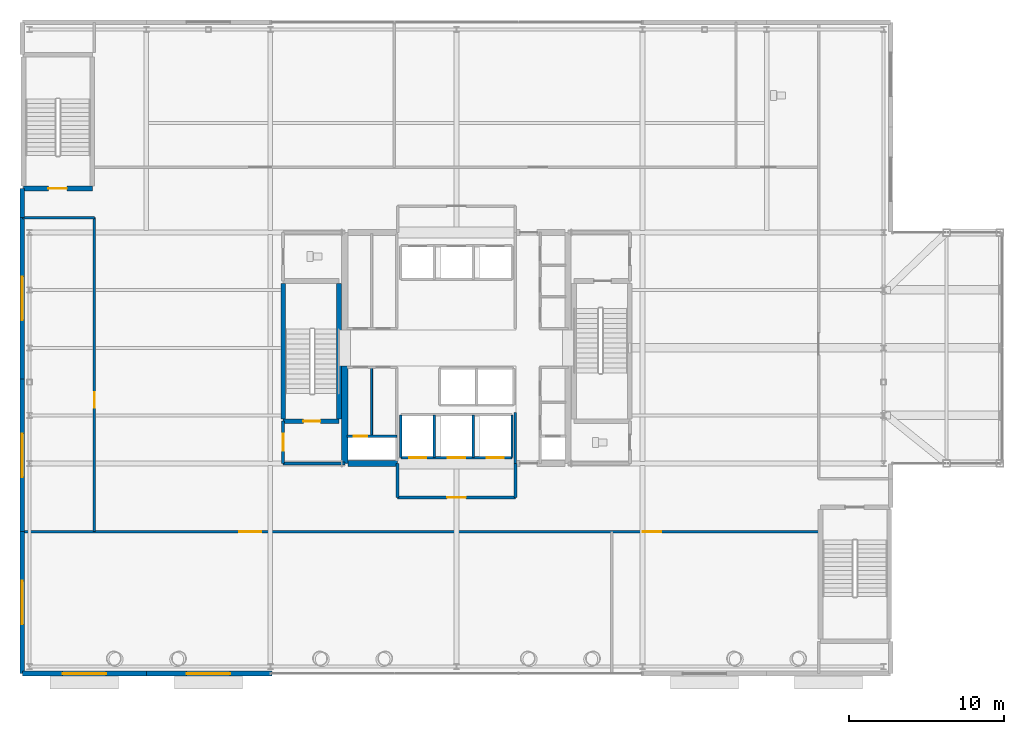
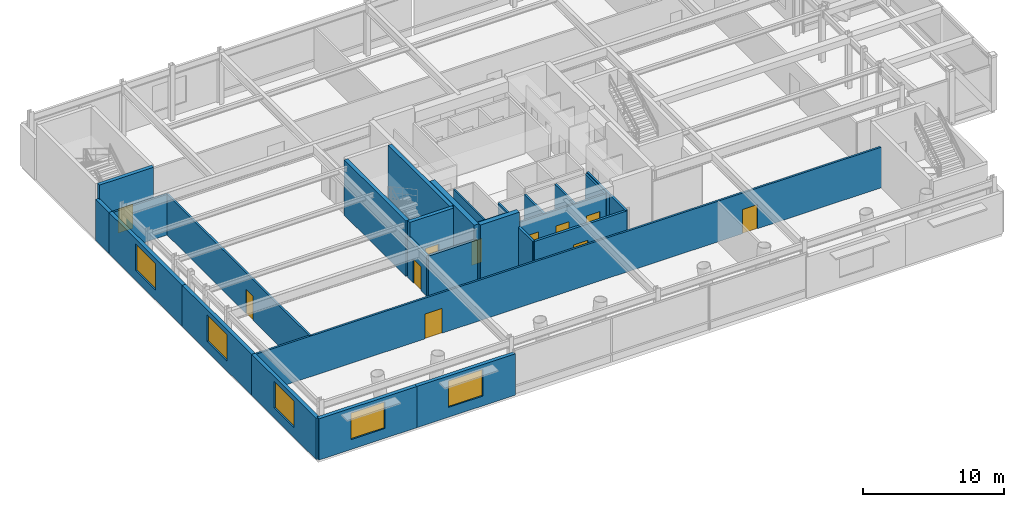
# One storey, part 19 of 26: 28 walls, 11 doors, 5 windows, 16 openings.
"""IFC4 building model written with IfcOpenShell, lengths in metres."""

from ifc_helpers import new_model, si_unit, direction, frame, frame_2d, origin, place, context, subcontext, project, spatial, rectangle, extrude, material, layer, layer_set, type_object, element, fill, save


model = new_model("IFC4")

# Units and contexts
model_context = context("Model", 3, precision=1e-05, world=origin(), true_north=direction((0.0, 1.0)))
body_context = subcontext(model_context, "Body", "Model", "MODEL_VIEW")
ifc_project = project(units=[si_unit("LENGTHUNIT", "METRE"), si_unit("AREAUNIT", "SQUARE_METRE"), si_unit("VOLUMEUNIT", "CUBIC_METRE"), si_unit("PLANEANGLEUNIT", "RADIAN"), si_unit("MASSUNIT", "GRAM", prefix="KILO")], contexts=[model_context])

# Site, building, storey
site_placement = place(None, origin())
site = spatial("IfcSite", under=ifc_project, at=site_placement, CompositionType="ELEMENT")
building_placement = place(site_placement, origin())
building = spatial("IfcBuilding", under=site, at=building_placement, Name="Veldorina Hangang Commons", CompositionType="ELEMENT")
storey_placement = place(building_placement, frame((0.0, 0.0, 10.0)))
storey = spatial("IfcBuildingStorey", under=building, at=storey_placement, Name="L02", CompositionType="ELEMENT", Elevation=10.0)

# Walls
ifc_material_1 = material(Name="Concrete C70/85", Category="concrete")
ifc_layer_1 = layer(ifc_material_1, 0.39990234375)
ifc_layer_set_1 = layer_set([ifc_layer_1], Name="Concrete C70/85")
wall_type_1 = type_object("IfcWallType", Name="CW-RC400-C70", PredefinedType="SHEAR", material=ifc_layer_set_1)
wall_1_placement = place(storey_placement, frame((24.800048828125, 16.550048828125, 0.0), z_axis=(0.0, 0.0, 1.0), x_axis=(0.0, 1.0, 0.0)))
element("IfcWall", 1, at=wall_1_placement, inside=storey, type_object=wall_type_1, Name="L02 W south core shear wall", PredefinedType="SHEAR", context=body_context, shape_type="SweptSolid", body=[
    extrude(rectangle(XDim=6.300048828125, YDim=0.39990234375, at=frame_2d((3.14990234375, 0.0))), origin(), (0.0, 0.0, 1.0), 4.800048828125),
])
wall_2_placement = place(storey_placement, frame((25.0, 16.550048828125, 0.0), z_axis=(0.0, 0.0, 1.0), x_axis=(1.0, 0.0, 0.0)))
element("IfcWall", 2, at=wall_2_placement, inside=storey, type_object=wall_type_1, Name="L02 south-west core shear wall", PredefinedType="SHEAR", context=body_context, shape_type="SweptSolid", body=[
    extrude(rectangle(XDim=3.199951171875, YDim=0.39990234375, at=frame_2d((1.60009765625, 0.0))), origin(), (0.0, 0.0, 1.0), 4.800048828125),
])

# Wall, opening, window
ifc_material_2 = material(Name="Stone Roman Travertine", Category="masonry")
ifc_layer_2 = layer(ifc_material_2, 0.300048828125)
ifc_layer_set_2 = layer_set([ifc_layer_2], Name="Stone Roman Travertine")
wall_type_2 = type_object("IfcWallType", Name="EW-TRAV-300", PredefinedType="STANDARD", material=ifc_layer_set_2)
wall_3_placement = place(storey_placement, frame((4.0, 3.0, 0.0), z_axis=(0.0, 0.0, 1.0), x_axis=(1.0, 0.0, 0.0)))
wall_3 = element("IfcWall", 3, at=wall_3_placement, inside=storey, type_object=wall_type_2, Name="L02 south podium stone wall S1", PredefinedType="STANDARD", context=body_context, shape_type="SweptSolid", body=[
    extrude(rectangle(XDim=8.0, YDim=0.300048828125, at=frame_2d((4.0, 0.0))), origin(), (0.0, 0.0, 1.0), 3.570068359375),
])
opening_1_placement = place(wall_3_placement, frame((2.60009765625, 0.0, 0.85009765625)))
opening_1 = element("IfcOpeningElement", 4, at=opening_1_placement, cuts=wall_3, Name="Opening W-06", PredefinedType="OPENING", context=body_context, shape_type="SweptSolid", body=[
    extrude(rectangle(XDim=2.800048828125, YDim=2.300048828125, at=frame_2d((1.39990234375, 1.14990234375))), frame((0.0, 0.16015625, 0.0), z_axis=(0.0, -1.0, 0.0), x_axis=(1.0, 0.0, 0.0)), (0.0, 0.0, 1.0), 0.320068359375),
])
ifc_material_3 = material(Name="Glass Acoustic Laminated", Category="glass")
window_type = type_object("IfcWindowType", Name="WIN-POD-2800", PartitioningType="SINGLE_PANEL", PredefinedType="WINDOW", material=ifc_material_3)
window_1_placement = place(opening_1_placement, origin())
window_1 = element("IfcWindow", 5, at=window_1_placement, inside=storey, type_object=window_type, Name="L02 south podium window S1", OverallHeight=2.300048828125, OverallWidth=2.800048828125, PartitioningType="SINGLE_PANEL", PredefinedType="WINDOW", context=body_context, shape_type="SweptSolid", body=[
    extrude(rectangle(XDim=2.800048828125, YDim=2.300048828125, at=frame_2d((1.39990234375, 1.14990234375))), frame((0.0, 0.030029296875, 0.0), z_axis=(0.0, -1.0, 0.0), x_axis=(1.0, 0.0, 0.0)), (0.0, 0.0, 1.0), 0.06005859375),
])
fill(opening_1, window_1)

wall_4_placement = place(storey_placement, frame((12.0, 3.0, 0.0), z_axis=(0.0, 0.0, 1.0), x_axis=(1.0, 0.0, 0.0)))
wall_4 = element("IfcWall", 6, at=wall_4_placement, inside=storey, type_object=wall_type_2, Name="L02 south podium stone wall S2", PredefinedType="STANDARD", context=body_context, shape_type="SweptSolid", body=[
    extrude(rectangle(XDim=8.094970703125, YDim=0.300048828125, at=frame_2d((4.04736328125, 0.0))), origin(), (0.0, 0.0, 1.0), 3.570068359375),
])
opening_2_placement = place(wall_4_placement, frame((2.60009765625, 0.0, 0.85009765625)))
opening_2 = element("IfcOpeningElement", 7, at=opening_2_placement, cuts=wall_4, Name="Opening W-06", PredefinedType="OPENING", context=body_context, shape_type="SweptSolid", body=[
    extrude(rectangle(XDim=2.800048828125, YDim=2.300048828125, at=frame_2d((1.39990234375, 1.14990234375))), frame((0.0, 0.16015625, 0.0), z_axis=(0.0, -1.0, 0.0), x_axis=(1.0, 0.0, 0.0)), (0.0, 0.0, 1.0), 0.320068359375),
])
window_2_placement = place(opening_2_placement, origin())
window_2 = element("IfcWindow", 8, at=window_2_placement, inside=storey, type_object=window_type, Name="L02 south podium window S2", OverallHeight=2.300048828125, OverallWidth=2.800048828125, PartitioningType="SINGLE_PANEL", PredefinedType="WINDOW", context=body_context, shape_type="SweptSolid", body=[
    extrude(rectangle(XDim=2.800048828125, YDim=2.300048828125, at=frame_2d((1.39990234375, 1.14990234375))), frame((0.0, 0.030029296875, 0.0), z_axis=(0.0, -1.0, 0.0), x_axis=(1.0, 0.0, 0.0)), (0.0, 0.0, 1.0), 0.06005859375),
])
fill(opening_2, window_2)

wall_5_placement = place(storey_placement, frame((4.0, 12.14990234375, 0.0), z_axis=(0.0, 0.0, 1.0), x_axis=(0.0, -1.0, 0.0)))
wall_5 = element("IfcWall", 9, at=wall_5_placement, inside=storey, type_object=wall_type_2, Name="L02 west podium stone wall W1", PredefinedType="STANDARD", context=body_context, shape_type="SweptSolid", body=[
    extrude(rectangle(XDim=9.14990234375, YDim=0.300048828125, at=frame_2d((4.574951171875, 0.0))), origin(), (0.0, 0.0, 1.0), 3.570068359375),
])
opening_3_placement = place(wall_5_placement, frame((3.175048828125, 0.0, 0.85009765625)))
opening_3 = element("IfcOpeningElement", 10, at=opening_3_placement, cuts=wall_5, Name="Opening W-06", PredefinedType="OPENING", context=body_context, shape_type="SweptSolid", body=[
    extrude(rectangle(XDim=2.800048828125, YDim=2.300048828125, at=frame_2d((1.39990234375, 1.14990234375))), frame((0.0, 0.16015625, 0.0), z_axis=(0.0, -1.0, 0.0), x_axis=(1.0, 0.0, 0.0)), (0.0, 0.0, 1.0), 0.320068359375),
])
window_3_placement = place(opening_3_placement, origin())
window_3 = element("IfcWindow", 11, at=window_3_placement, inside=storey, type_object=window_type, Name="L02 west podium window W1", OverallHeight=2.300048828125, OverallWidth=2.800048828125, PartitioningType="SINGLE_PANEL", PredefinedType="WINDOW", context=body_context, shape_type="SweptSolid", body=[
    extrude(rectangle(XDim=2.800048828125, YDim=2.300048828125, at=frame_2d((1.39990234375, 1.14990234375))), frame((0.0, 0.030029296875, 0.0), z_axis=(0.0, -1.0, 0.0), x_axis=(1.0, 0.0, 0.0)), (0.0, 0.0, 1.0), 0.06005859375),
])
fill(opening_3, window_3)

wall_6_placement = place(storey_placement, frame((4.0, 22.0, 0.0), z_axis=(0.0, 0.0, 1.0), x_axis=(0.0, -1.0, 0.0)))
wall_6 = element("IfcWall", 12, at=wall_6_placement, inside=storey, type_object=wall_type_2, Name="L02 west podium stone wall W2", PredefinedType="STANDARD", context=body_context, shape_type="SweptSolid", body=[
    extrude(rectangle(XDim=9.85009765625, YDim=0.300048828125, at=frame_2d((4.925048828125, 0.0))), origin(), (0.0, 0.0, 1.0), 3.570068359375),
])
opening_4_placement = place(wall_6_placement, frame((3.52490234375, 0.0, 0.85009765625)))
opening_4 = element("IfcOpeningElement", 13, at=opening_4_placement, cuts=wall_6, Name="Opening W-06", PredefinedType="OPENING", context=body_context, shape_type="SweptSolid", body=[
    extrude(rectangle(XDim=2.800048828125, YDim=2.300048828125, at=frame_2d((1.39990234375, 1.14990234375))), frame((0.0, 0.16015625, 0.0), z_axis=(0.0, -1.0, 0.0), x_axis=(1.0, 0.0, 0.0)), (0.0, 0.0, 1.0), 0.320068359375),
])
window_4_placement = place(opening_4_placement, origin())
window_4 = element("IfcWindow", 14, at=window_4_placement, inside=storey, type_object=window_type, Name="L02 west podium window W2", OverallHeight=2.300048828125, OverallWidth=2.800048828125, PartitioningType="SINGLE_PANEL", PredefinedType="WINDOW", context=body_context, shape_type="SweptSolid", body=[
    extrude(rectangle(XDim=2.800048828125, YDim=2.300048828125, at=frame_2d((1.39990234375, 1.14990234375))), frame((0.0, 0.030029296875, 0.0), z_axis=(0.0, -1.0, 0.0), x_axis=(1.0, 0.0, 0.0)), (0.0, 0.0, 1.0), 0.06005859375),
])
fill(opening_4, window_4)

wall_7_placement = place(storey_placement, frame((4.0, 32.39990234375, 0.0), z_axis=(0.0, 0.0, 1.0), x_axis=(0.0, -1.0, 0.0)))
wall_7 = element("IfcWall", 15, at=wall_7_placement, inside=storey, type_object=wall_type_2, Name="L02 west podium stone wall W3", PredefinedType="STANDARD", context=body_context, shape_type="SweptSolid", body=[
    extrude(rectangle(XDim=10.39990234375, YDim=0.300048828125, at=frame_2d((5.199951171875, 0.0))), origin(), (0.0, 0.0, 1.0), 3.570068359375),
])
opening_5_placement = place(wall_7_placement, frame((3.800048828125, 0.0, 0.85009765625)))
opening_5 = element("IfcOpeningElement", 16, at=opening_5_placement, cuts=wall_7, Name="Opening W-06", PredefinedType="OPENING", context=body_context, shape_type="SweptSolid", body=[
    extrude(rectangle(XDim=2.800048828125, YDim=2.300048828125, at=frame_2d((1.39990234375, 1.14990234375))), frame((0.0, 0.16015625, 0.0), z_axis=(0.0, -1.0, 0.0), x_axis=(1.0, 0.0, 0.0)), (0.0, 0.0, 1.0), 0.320068359375),
])
window_5_placement = place(opening_5_placement, origin())
window_5 = element("IfcWindow", 17, at=window_5_placement, inside=storey, type_object=window_type, Name="L02 west podium window W3", OverallHeight=2.300048828125, OverallWidth=2.800048828125, PartitioningType="SINGLE_PANEL", PredefinedType="WINDOW", context=body_context, shape_type="SweptSolid", body=[
    extrude(rectangle(XDim=2.800048828125, YDim=2.300048828125, at=frame_2d((1.39990234375, 1.14990234375))), frame((0.0, 0.030029296875, 0.0), z_axis=(0.0, -1.0, 0.0), x_axis=(1.0, 0.0, 0.0)), (0.0, 0.0, 1.0), 0.06005859375),
])
fill(opening_5, window_5)

# Walls
wall_8_placement = place(storey_placement, frame((4.0, 34.280029296875, 0.0), z_axis=(0.0, 0.0, 1.0), x_axis=(0.0, -1.0, 0.0)))
element("IfcWall", 18, at=wall_8_placement, inside=storey, type_object=wall_type_2, Name="L02 west podium stone wall W4", PredefinedType="STANDARD", context=body_context, shape_type="SweptSolid", body=[
    extrude(rectangle(XDim=1.880126953125, YDim=0.300048828125, at=frame_2d((0.93994140625, 0.0))), origin(), (0.0, 0.0, 1.0), 3.570068359375),
])
ifc_material_4 = material(Name="Concrete C50/60", Category="concrete")
ifc_layer_3 = layer(ifc_material_4, 0.300048828125)
ifc_layer_set_3 = layer_set([ifc_layer_3], Name="Concrete C50/60")
wall_type_3 = type_object("IfcWallType", Name="SW-STAIR-300", PredefinedType="SHEAR", material=ifc_layer_set_3)
for number, where, z_axis, x_axis, name in (
    (19, (20.820068359375, 19.429931640625, 0.0), (0.0, 0.0, 1.0), (0.0, 1.0, 0.0), "L02 ST1 outer stair shear wall"),
    (20, (24.419921875, 19.429931640625, 0.0), (0.0, 0.0, 1.0), (0.0, 1.0, 0.0), "L02 ST1 inner stair shear wall"),
):
    element("IfcWall", number, at=place(storey_placement, frame(where, z_axis=z_axis, x_axis=x_axis)), inside=storey, type_object=wall_type_3, Name=name, PredefinedType="SHEAR", context=body_context, shape_type="SweptSolid", body=[
        extrude(rectangle(XDim=8.739990234375, YDim=0.300048828125, at=frame_2d((4.3701171875, 0.0))), origin(), (0.0, 0.0, 1.0), 4.800048828125),
    ])

# Wall, opening, door
wall_9_placement = place(storey_placement, frame((20.820068359375, 19.280029296875, 0.0), z_axis=(0.0, 0.0, 1.0), x_axis=(1.0, 0.0, 0.0)))
wall_9 = element("IfcWall", 21, at=wall_9_placement, inside=storey, type_object=wall_type_3, Name="L02 ST1 south stair shear wall", PredefinedType="SHEAR", context=body_context, shape_type="SweptSolid", body=[
    extrude(rectangle(XDim=3.599853515625, YDim=0.300048828125, at=frame_2d((1.7998046875, 0.0))), origin(), (0.0, 0.0, 1.0), 4.800048828125),
])
opening_6_placement = place(wall_9_placement, frame((1.300048828125, 0.0, 0.0)))
opening_6 = element("IfcOpeningElement", 22, at=opening_6_placement, cuts=wall_9, Name="Opening D-08", PredefinedType="OPENING", context=body_context, shape_type="SweptSolid", body=[
    extrude(rectangle(XDim=1.10009765625, YDim=2.10009765625, at=frame_2d((0.550048828125, 1.050048828125))), frame((0.0, 0.16015625, 0.0), z_axis=(0.0, -1.0, 0.0), x_axis=(1.0, 0.0, 0.0)), (0.0, 0.0, 1.0), 0.320068359375),
])
ifc_material_5 = material(Name="Steel Fire-Rated Smoke Seal", Category="steel")
door_type_1 = type_object("IfcDoorType", Name="DR-FIRE-1100", OperationType="SINGLE_SWING_RIGHT", PredefinedType="DOOR", material=ifc_material_5)
door_1_placement = place(opening_6_placement, origin())
door_1 = element("IfcDoor", 23, at=door_1_placement, inside=storey, type_object=door_type_1, Name="L02 Special Escape Stair ST-1 door", OperationType="SINGLE_SWING_LEFT", OverallHeight=2.10009765625, OverallWidth=1.10009765625, PredefinedType="DOOR", context=body_context, shape_type="SweptSolid", body=[
    extrude(rectangle(XDim=1.10009765625, YDim=2.10009765625, at=frame_2d((0.550048828125, 1.050048828125))), frame((0.0, 0.02490234375, 0.0), z_axis=(0.0, -1.0, 0.0), x_axis=(1.0, 0.0, 0.0)), (0.0, 0.0, 1.0), 0.050048828125),
])
fill(opening_6, door_1)

wall_10_placement = place(storey_placement, frame((4.080078125, 34.280029296875, 0.0), z_axis=(0.0, 0.0, 1.0), x_axis=(1.0, 0.0, 0.0)))
wall_10 = element("IfcWall", 24, at=wall_10_placement, inside=storey, type_object=wall_type_3, Name="L02 STP1 S stair shear wall", PredefinedType="SHEAR", context=body_context, shape_type="SweptSolid", body=[
    extrude(rectangle(XDim=4.43994140625, YDim=0.300048828125, at=frame_2d((2.219970703125, 0.0))), origin(), (0.0, 0.0, 1.0), 4.800048828125),
])
opening_7_placement = place(wall_10_placement, frame((1.60009765625, 0.0, 0.0)))
opening_7 = element("IfcOpeningElement", 25, at=opening_7_placement, cuts=wall_10, Name="Opening D-09", PredefinedType="OPENING", context=body_context, shape_type="SweptSolid", body=[
    extrude(rectangle(XDim=1.199951171875, YDim=2.10009765625, at=frame_2d((0.60009765625, 1.050048828125))), frame((0.0, 0.16015625, 0.0), z_axis=(0.0, -1.0, 0.0), x_axis=(1.0, 0.0, 0.0)), (0.0, 0.0, 1.0), 0.320068359375),
])
ifc_material_6 = material(Name="Steel Fire-Rated Corridor Door", Category="steel")
door_type_2 = type_object("IfcDoorType", Name="DR-FIRE-1200", OperationType="SINGLE_SWING_LEFT", PredefinedType="DOOR", material=ifc_material_6)
door_2_placement = place(opening_7_placement, origin())
door_2 = element("IfcDoor", 26, at=door_2_placement, inside=storey, type_object=door_type_2, Name="L02 Podium Stair ST-P1 door", OperationType="SINGLE_SWING_LEFT", OverallHeight=2.10009765625, OverallWidth=1.199951171875, PredefinedType="DOOR", context=body_context, shape_type="SweptSolid", body=[
    extrude(rectangle(XDim=1.199951171875, YDim=2.10009765625, at=frame_2d((0.60009765625, 1.050048828125))), frame((0.0, 0.02490234375, 0.0), z_axis=(0.0, -1.0, 0.0), x_axis=(1.0, 0.0, 0.0)), (0.0, 0.0, 1.0), 0.050048828125),
])
fill(opening_7, door_2)

# Wall
ifc_material_7 = material(Name="Gypsum Fire-Rated Twin Stud Wall", Category="gypsum")
ifc_layer_4 = layer(ifc_material_7, 0.159912109375)
ifc_layer_set_4 = layer_set([ifc_layer_4], Name="Gypsum Fire-Rated Twin Stud Wall")
wall_type_4 = type_object("IfcWallType", Name="WL-FIRE-160", PredefinedType="SOLIDWALL", material=ifc_layer_set_4)
wall_11_placement = place(storey_placement, frame((35.800048828125, 16.550048828125, 0.0), z_axis=(0.0, 0.0, 1.0), x_axis=(0.0, 1.0, 0.0)))
element("IfcWall", 27, at=wall_11_placement, inside=storey, type_object=wall_type_4, Name="L02 Lift passage SW wall 009", PredefinedType="SOLIDWALL", context=body_context, shape_type="SweptSolid", body=[
    extrude(rectangle(XDim=3.300048828125, YDim=0.159912109375, at=frame_2d((1.64990234375, 0.0))), origin(), (0.0, 0.0, 1.0), 3.52001953125),
])

# Wall, openings, doors
wall_12_placement = place(storey_placement, frame((28.419921875, 16.919921875, 0.0), z_axis=(0.0, 0.0, 1.0), x_axis=(1.0, 0.0, 0.0)))
wall_12 = element("IfcWall", 28, at=wall_12_placement, inside=storey, type_object=wall_type_4, Name="L02 Emergency front shaft wall 026", PredefinedType="SOLIDWALL", context=body_context, shape_type="SweptSolid", body=[
    extrude(rectangle(XDim=7.16015625, YDim=0.159912109375, at=frame_2d((3.580078125, 0.0))), origin(), (0.0, 0.0, 1.0), 3.52001953125),
])
opening_8_placement = place(wall_12_placement, frame((0.530029296875, 0.0, 0.0)))
opening_8 = element("IfcOpeningElement", 29, at=opening_8_placement, cuts=wall_12, Name="Opening LD-03", PredefinedType="OPENING", context=body_context, shape_type="SweptSolid", body=[
    extrude(rectangle(XDim=1.10009765625, YDim=2.14990234375, at=frame_2d((0.550048828125, 1.074951171875))), frame((0.0, 0.08984375, 0.0), z_axis=(0.0, -1.0, 0.0), x_axis=(1.0, 0.0, 0.0)), (0.0, 0.0, 1.0), 0.179931640625),
])
opening_9_placement = place(wall_12_placement, frame((3.030029296875, 0.0, 0.0)))
opening_9 = element("IfcOpeningElement", 30, at=opening_9_placement, cuts=wall_12, Name="Opening LD-03", PredefinedType="OPENING", context=body_context, shape_type="SweptSolid", body=[
    extrude(rectangle(XDim=1.10009765625, YDim=2.14990234375, at=frame_2d((0.550048828125, 1.074951171875))), frame((0.0, 0.08984375, 0.0), z_axis=(0.0, -1.0, 0.0), x_axis=(1.0, 0.0, 0.0)), (0.0, 0.0, 1.0), 0.179931640625),
])
opening_10_placement = place(wall_12_placement, frame((5.530029296875, 0.0, 0.0)))
opening_10 = element("IfcOpeningElement", 31, at=opening_10_placement, cuts=wall_12, Name="Opening LD-03", PredefinedType="OPENING", context=body_context, shape_type="SweptSolid", body=[
    extrude(rectangle(XDim=1.10009765625, YDim=2.14990234375, at=frame_2d((0.550048828125, 1.074951171875))), frame((0.0, 0.08984375, 0.0), z_axis=(0.0, -1.0, 0.0), x_axis=(1.0, 0.0, 0.0)), (0.0, 0.0, 1.0), 0.179931640625),
])
ifc_material_8 = material(Name="Stainless Steel Firefighting Lift Door", Category="steel")
door_type_3 = type_object("IfcDoorType", Name="DR-LIFT-FF1100", OperationType="SLIDING_TO_RIGHT", PredefinedType="DOOR", material=ifc_material_8)
door_3_placement = place(opening_8_placement, origin())
door_3 = element("IfcDoor", 32, at=door_3_placement, inside=storey, type_object=door_type_3, Name="L02 Emergency lift FFL-1 landing door 009", OperationType="SLIDING_TO_RIGHT", OverallHeight=2.14990234375, OverallWidth=1.10009765625, PredefinedType="DOOR", context=body_context, shape_type="SweptSolid", body=[
    extrude(rectangle(XDim=1.10009765625, YDim=2.14990234375, at=frame_2d((0.550048828125, 1.074951171875))), frame((0.0, 0.02490234375, 0.0), z_axis=(0.0, -1.0, 0.0), x_axis=(1.0, 0.0, 0.0)), (0.0, 0.0, 1.0), 0.050048828125),
])
fill(opening_8, door_3)
door_4_placement = place(opening_9_placement, origin())
door_4 = element("IfcDoor", 33, at=door_4_placement, inside=storey, type_object=door_type_3, Name="L02 Emergency lift FFL-2 landing door 010", OperationType="SLIDING_TO_RIGHT", OverallHeight=2.14990234375, OverallWidth=1.10009765625, PredefinedType="DOOR", context=body_context, shape_type="SweptSolid", body=[
    extrude(rectangle(XDim=1.10009765625, YDim=2.14990234375, at=frame_2d((0.550048828125, 1.074951171875))), frame((0.0, 0.02490234375, 0.0), z_axis=(0.0, -1.0, 0.0), x_axis=(1.0, 0.0, 0.0)), (0.0, 0.0, 1.0), 0.050048828125),
])
fill(opening_9, door_4)
door_5_placement = place(opening_10_placement, origin())
door_5 = element("IfcDoor", 34, at=door_5_placement, inside=storey, type_object=door_type_3, Name="L02 Emergency lift EVL-1 landing door 011", OperationType="SLIDING_TO_RIGHT", OverallHeight=2.14990234375, OverallWidth=1.10009765625, PredefinedType="DOOR", context=body_context, shape_type="SweptSolid", body=[
    extrude(rectangle(XDim=1.10009765625, YDim=2.14990234375, at=frame_2d((0.550048828125, 1.074951171875))), frame((0.0, 0.02490234375, 0.0), z_axis=(0.0, -1.0, 0.0), x_axis=(1.0, 0.0, 0.0)), (0.0, 0.0, 1.0), 0.050048828125),
])
fill(opening_10, door_5)

# Walls
for number, where, z_axis, x_axis, name in (
    (35, (28.419921875, 16.919921875, 0.0), (0.0, 0.0, 1.0), (0.0, 1.0, 0.0), "L02 FFL-1 west shaft wall 028"),
    (36, (30.580078125, 16.919921875, 0.0), (0.0, 0.0, 1.0), (0.0, 1.0, 0.0), "L02 FFL-1 east shaft wall 029"),
    (37, (33.080078125, 16.919921875, 0.0), (0.0, 0.0, 1.0), (0.0, 1.0, 0.0), "L02 FFL-2 east shaft wall 030"),
    (38, (35.580078125, 16.919921875, 0.0), (0.0, 0.0, 1.0), (0.0, 1.0, 0.0), "L02 EVL-1 east shaft wall 031"),
):
    element("IfcWall", number, at=place(storey_placement, frame(where, z_axis=z_axis, x_axis=x_axis)), inside=storey, type_object=wall_type_4, Name=name, PredefinedType="SOLIDWALL", context=body_context, shape_type="SweptSolid", body=[
        extrude(rectangle(XDim=2.760009765625, YDim=0.159912109375, at=frame_2d((1.3798828125, 0.0))), origin(), (0.0, 0.0, 1.0), 3.52001953125),
    ])

# Wall, opening, door
wall_13_placement = place(storey_placement, frame((24.949951171875, 18.300048828125, 0.0), z_axis=(0.0, 0.0, 1.0), x_axis=(1.0, 0.0, 0.0)))
wall_13 = element("IfcWall", 39, at=wall_13_placement, inside=storey, type_object=wall_type_4, Name="L02 Electrical riser wall 035", PredefinedType="SOLIDWALL", context=body_context, shape_type="SweptSolid", body=[
    extrude(rectangle(XDim=3.199951171875, YDim=0.159912109375, at=frame_2d((1.60009765625, 0.0))), origin(), (0.0, 0.0, 1.0), 3.52001953125),
])
opening_11_placement = place(wall_13_placement, frame((0.43994140625, 0.0, 0.0)))
opening_11 = element("IfcOpeningElement", 40, at=opening_11_placement, cuts=wall_13, Name="Opening D-12", PredefinedType="OPENING", context=body_context, shape_type="SweptSolid", body=[
    extrude(rectangle(XDim=0.860107421875, YDim=2.050048828125, at=frame_2d((0.43017578125, 1.02490234375))), frame((0.0, 0.08984375, 0.0), z_axis=(0.0, -1.0, 0.0), x_axis=(1.0, 0.0, 0.0)), (0.0, 0.0, 1.0), 0.179931640625),
])
ifc_material_9 = material(Name="Steel Insulated Riser Access", Category="steel")
door_type_4 = type_object("IfcDoorType", Name="DR-TRAP-860", OperationType="SINGLE_SWING_LEFT", PredefinedType="TRAPDOOR", material=ifc_material_9)
door_6_placement = place(opening_11_placement, origin())
door_6 = element("IfcDoor", 41, at=door_6_placement, inside=storey, type_object=door_type_4, Name="L02 Electrical riser access door 013", OperationType="SINGLE_SWING_LEFT", OverallHeight=2.050048828125, OverallWidth=0.860107421875, PredefinedType="TRAPDOOR", context=body_context, shape_type="SweptSolid", body=[
    extrude(rectangle(XDim=0.860107421875, YDim=2.050048828125, at=frame_2d((0.43017578125, 1.02490234375))), frame((0.0, 0.02490234375, 0.0), z_axis=(0.0, -1.0, 0.0), x_axis=(1.0, 0.0, 0.0)), (0.0, 0.0, 1.0), 0.050048828125),
])
fill(opening_11, door_6)

# Wall, openings, doors
wall_14_placement = place(storey_placement, frame((4.0, 12.14990234375, 0.0), z_axis=(0.0, 0.0, 1.0), x_axis=(1.0, 0.0, 0.0)))
wall_14 = element("IfcWall", 42, at=wall_14_placement, inside=storey, type_object=wall_type_4, Name="L02 L02 gallery south wall 051", PredefinedType="SOLIDWALL", context=body_context, shape_type="SweptSolid", body=[
    extrude(rectangle(XDim=51.35009765625, YDim=0.159912109375, at=frame_2d((25.675048828125, 0.0))), origin(), (0.0, 0.0, 1.0), 3.52001953125),
])
opening_12_placement = place(wall_14_placement, frame((14.0, 0.0, 0.0)))
opening_12 = element("IfcOpeningElement", 43, at=opening_12_placement, cuts=wall_14, Name="Opening D-11", PredefinedType="OPENING", context=body_context, shape_type="SweptSolid", body=[
    extrude(rectangle(XDim=1.39990234375, YDim=2.14990234375, at=frame_2d((0.699951171875, 1.074951171875))), frame((0.0, 0.08984375, 0.0), z_axis=(0.0, -1.0, 0.0), x_axis=(1.0, 0.0, 0.0)), (0.0, 0.0, 1.0), 0.179931640625),
])
opening_13_placement = place(wall_14_placement, frame((40.0, 0.0, 0.0)))
opening_13 = element("IfcOpeningElement", 44, at=opening_13_placement, cuts=wall_14, Name="Opening D-09", PredefinedType="OPENING", context=body_context, shape_type="SweptSolid", body=[
    extrude(rectangle(XDim=1.199951171875, YDim=2.10009765625, at=frame_2d((0.60009765625, 1.050048828125))), frame((0.0, 0.08984375, 0.0), z_axis=(0.0, -1.0, 0.0), x_axis=(1.0, 0.0, 0.0)), (0.0, 0.0, 1.0), 0.179931640625),
])
door_7_placement = place(opening_13_placement, origin())
door_7 = element("IfcDoor", 45, at=door_7_placement, inside=storey, type_object=door_type_2, Name="L02 Commercial kitchen door 026", OperationType="SINGLE_SWING_RIGHT", OverallHeight=2.10009765625, OverallWidth=1.199951171875, PredefinedType="DOOR", context=body_context, shape_type="SweptSolid", body=[
    extrude(rectangle(XDim=1.199951171875, YDim=2.10009765625, at=frame_2d((0.60009765625, 1.050048828125))), frame((0.0, 0.02490234375, 0.0), z_axis=(0.0, -1.0, 0.0), x_axis=(1.0, 0.0, 0.0)), (0.0, 0.0, 1.0), 0.050048828125),
])
fill(opening_13, door_7)
ifc_material_10 = material(Name="Steel Glazed Fire Assembly Door", Category="steel")
door_type_5 = type_object("IfcDoorType", Name="DR-FIRE-1400", OperationType="DOUBLE_SWING_LEFT", PredefinedType="DOOR", material=ifc_material_10)
door_8_placement = place(opening_12_placement, origin())
door_8 = element("IfcDoor", 46, at=door_8_placement, inside=storey, type_object=door_type_5, Name="L02 Refectory dining door 025", OperationType="SINGLE_SWING_LEFT", OverallHeight=2.14990234375, OverallWidth=1.39990234375, PredefinedType="DOOR", context=body_context, shape_type="SweptSolid", body=[
    extrude(rectangle(XDim=1.39990234375, YDim=2.14990234375, at=frame_2d((0.699951171875, 1.074951171875))), frame((0.0, 0.02490234375, 0.0), z_axis=(0.0, -1.0, 0.0), x_axis=(1.0, 0.0, 0.0)), (0.0, 0.0, 1.0), 0.050048828125),
])
fill(opening_12, door_8)

# Wall, opening, door
wall_15_placement = place(storey_placement, frame((8.64990234375, 12.14990234375, 0.0), z_axis=(0.0, 0.0, 1.0), x_axis=(0.0, 1.0, 0.0)))
wall_15 = element("IfcWall", 47, at=wall_15_placement, inside=storey, type_object=wall_type_4, Name="L02 L02 gallery west wall 052", PredefinedType="SOLIDWALL", context=body_context, shape_type="SweptSolid", body=[
    extrude(rectangle(XDim=20.25, YDim=0.159912109375, at=frame_2d((10.125, 0.0))), origin(), (0.0, 0.0, 1.0), 3.52001953125),
])
opening_14_placement = place(wall_15_placement, frame((8.0, 0.0, 0.0)))
opening_14 = element("IfcOpeningElement", 48, at=opening_14_placement, cuts=wall_15, Name="Opening D-05", PredefinedType="OPENING", context=body_context, shape_type="SweptSolid", body=[
    extrude(rectangle(XDim=1.0, YDim=2.10009765625, at=frame_2d((0.5, 1.050048828125))), frame((0.0, 0.08984375, 0.0), z_axis=(0.0, -1.0, 0.0), x_axis=(1.0, 0.0, 0.0)), (0.0, 0.0, 1.0), 0.179931640625),
])
ifc_material_11 = material(Name="Timber Solid Core Acoustic", Category="wood")
door_type_6 = type_object("IfcDoorType", Name="DR-INT-1000", OperationType="SINGLE_SWING_RIGHT", PredefinedType="DOOR", material=ifc_material_11)
door_9_placement = place(opening_14_placement, origin())
door_9 = element("IfcDoor", 49, at=door_9_placement, inside=storey, type_object=door_type_6, Name="L02 Music club room door 030", OperationType="SINGLE_SWING_RIGHT", OverallHeight=2.10009765625, OverallWidth=1.0, PredefinedType="DOOR", context=body_context, shape_type="SweptSolid", body=[
    extrude(rectangle(XDim=1.0, YDim=2.10009765625, at=frame_2d((0.5, 1.050048828125))), frame((0.0, 0.02490234375, 0.0), z_axis=(0.0, -1.0, 0.0), x_axis=(1.0, 0.0, 0.0)), (0.0, 0.0, 1.0), 0.050048828125),
])
fill(opening_14, door_9)

# Wall
wall_16_placement = place(storey_placement, frame((4.0, 32.39990234375, 0.0), z_axis=(0.0, 0.0, 1.0), x_axis=(1.0, 0.0, 0.0)))
element("IfcWall", 50, at=wall_16_placement, inside=storey, type_object=wall_type_4, Name="L02 L02 west room north wall 053", PredefinedType="SOLIDWALL", context=body_context, shape_type="SweptSolid", body=[
    extrude(rectangle(XDim=4.64990234375, YDim=0.159912109375, at=frame_2d((2.324951171875, 0.0))), origin(), (0.0, 0.0, 1.0), 3.52001953125),
])

# Wall, opening, door
ifc_material_12 = material(Name="Concrete Blockwork Fire Wall C30/37", Category="masonry")
ifc_layer_5 = layer(ifc_material_12, 0.199951171875)
ifc_layer_set_5 = layer_set([ifc_layer_5], Name="Concrete Blockwork Fire Wall C30/37")
wall_type_5 = type_object("IfcWallType", Name="WL-FIRE-200", PredefinedType="SOLIDWALL", material=ifc_layer_set_5)
wall_17_placement = place(storey_placement, frame((20.820068359375, 16.550048828125, 0.0), z_axis=(0.0, 0.0, 1.0), x_axis=(0.0, 1.0, 0.0)))
wall_17 = element("IfcWall", 51, at=wall_17_placement, inside=storey, type_object=wall_type_5, Name="L02 West vestibule outer wall 001", PredefinedType="SOLIDWALL", context=body_context, shape_type="SweptSolid", body=[
    extrude(rectangle(XDim=2.72998046875, YDim=0.199951171875, at=frame_2d((1.364990234375, 0.0))), origin(), (0.0, 0.0, 1.0), 3.52001953125),
])
opening_15_placement = place(wall_17_placement, frame((0.81494140625, 0.0, 0.0)))
opening_15 = element("IfcOpeningElement", 52, at=opening_15_placement, cuts=wall_17, Name="Opening D-08", PredefinedType="OPENING", context=body_context, shape_type="SweptSolid", body=[
    extrude(rectangle(XDim=1.10009765625, YDim=2.10009765625, at=frame_2d((0.550048828125, 1.050048828125))), frame((0.0, 0.10986328125, 0.0), z_axis=(0.0, -1.0, 0.0), x_axis=(1.0, 0.0, 0.0)), (0.0, 0.0, 1.0), 0.219970703125),
])
door_10_placement = place(opening_15_placement, origin())
door_10 = element("IfcDoor", 53, at=door_10_placement, inside=storey, type_object=door_type_1, Name="L02 West vestibule west door 001", OperationType="SINGLE_SWING_LEFT", OverallHeight=2.10009765625, OverallWidth=1.10009765625, PredefinedType="DOOR", context=body_context, shape_type="SweptSolid", body=[
    extrude(rectangle(XDim=1.10009765625, YDim=2.10009765625, at=frame_2d((0.550048828125, 1.050048828125))), frame((0.0, 0.02490234375, 0.0), z_axis=(0.0, -1.0, 0.0), x_axis=(1.0, 0.0, 0.0)), (0.0, 0.0, 1.0), 0.050048828125),
])
fill(opening_15, door_10)

# Walls
wall_18_placement = place(storey_placement, frame((20.820068359375, 16.550048828125, 0.0), z_axis=(0.0, 0.0, 1.0), x_axis=(1.0, 0.0, 0.0)))
element("IfcWall", 54, at=wall_18_placement, inside=storey, type_object=wall_type_5, Name="L02 West vestibule south wall 002", PredefinedType="SOLIDWALL", context=body_context, shape_type="SweptSolid", body=[
    extrude(rectangle(XDim=3.97998046875, YDim=0.199951171875, at=frame_2d((1.989990234375, 0.0))), origin(), (0.0, 0.0, 1.0), 3.52001953125),
])
for number, where, z_axis, x_axis, name in (
    (55, (28.199951171875, 14.35009765625, 0.0), (0.0, 0.0, 1.0), (0.0, 1.0, 0.0), "L02 FF lobby west wall 012"),
    (56, (35.800048828125, 14.35009765625, 0.0), (0.0, 0.0, 1.0), (0.0, 1.0, 0.0), "L02 FF lobby east wall 013"),
):
    element("IfcWall", number, at=place(storey_placement, frame(where, z_axis=z_axis, x_axis=x_axis)), inside=storey, type_object=wall_type_5, Name=name, PredefinedType="SOLIDWALL", context=body_context, shape_type="SweptSolid", body=[
        extrude(rectangle(XDim=2.199951171875, YDim=0.199951171875, at=frame_2d((1.10009765625, 0.0))), origin(), (0.0, 0.0, 1.0), 3.52001953125),
    ])

# Wall, opening, door
wall_19_placement = place(storey_placement, frame((28.199951171875, 14.35009765625, 0.0), z_axis=(0.0, 0.0, 1.0), x_axis=(1.0, 0.0, 0.0)))
wall_19 = element("IfcWall", 57, at=wall_19_placement, inside=storey, type_object=wall_type_5, Name="L02 FF lobby south wall 014", PredefinedType="SOLIDWALL", context=body_context, shape_type="SweptSolid", body=[
    extrude(rectangle(XDim=7.60009765625, YDim=0.199951171875, at=frame_2d((3.800048828125, 0.0))), origin(), (0.0, 0.0, 1.0), 3.52001953125),
])
opening_16_placement = place(wall_19_placement, frame((3.199951171875, 0.0, 0.0)))
opening_16 = element("IfcOpeningElement", 58, at=opening_16_placement, cuts=wall_19, Name="Opening D-09", PredefinedType="OPENING", context=body_context, shape_type="SweptSolid", body=[
    extrude(rectangle(XDim=1.199951171875, YDim=2.10009765625, at=frame_2d((0.60009765625, 1.050048828125))), frame((0.0, 0.10986328125, 0.0), z_axis=(0.0, -1.0, 0.0), x_axis=(1.0, 0.0, 0.0)), (0.0, 0.0, 1.0), 0.219970703125),
])
door_11_placement = place(opening_16_placement, origin())
door_11 = element("IfcDoor", 59, at=door_11_placement, inside=storey, type_object=door_type_2, Name="L02 FF lobby south corridor door 005", OperationType="SINGLE_SWING_LEFT", OverallHeight=2.10009765625, OverallWidth=1.199951171875, PredefinedType="DOOR", context=body_context, shape_type="SweptSolid", body=[
    extrude(rectangle(XDim=1.199951171875, YDim=2.10009765625, at=frame_2d((0.60009765625, 1.050048828125))), frame((0.0, 0.02490234375, 0.0), z_axis=(0.0, -1.0, 0.0), x_axis=(1.0, 0.0, 0.0)), (0.0, 0.0, 1.0), 0.050048828125),
])
fill(opening_16, door_11)

# Wall
ifc_material_13 = material(Name="Gypsum Acoustic Stud Partition", Category="gypsum")
ifc_layer_6 = layer(ifc_material_13, 0.1201171875)
ifc_layer_set_6 = layer_set([ifc_layer_6], Name="Gypsum Acoustic Stud Partition")
wall_type_6 = type_object("IfcWallType", Name="WL-PART-120", PredefinedType="PARTITIONING", material=ifc_layer_set_6)
wall_20_placement = place(storey_placement, frame((26.530029296875, 18.300048828125, 0.0), z_axis=(0.0, 0.0, 1.0), x_axis=(0.0, 1.0, 0.0)))
element("IfcWall", 60, at=wall_20_placement, inside=storey, type_object=wall_type_6, Name="L02 SW vertical split 046", PredefinedType="PARTITIONING", context=body_context, shape_type="SweptSolid", body=[
    extrude(rectangle(XDim=4.449951171875, YDim=0.1201171875, at=frame_2d((2.22509765625, 0.0))), origin(), (0.0, 0.0, 1.0), 3.52001953125),
])

save(model, "model.ifc")
